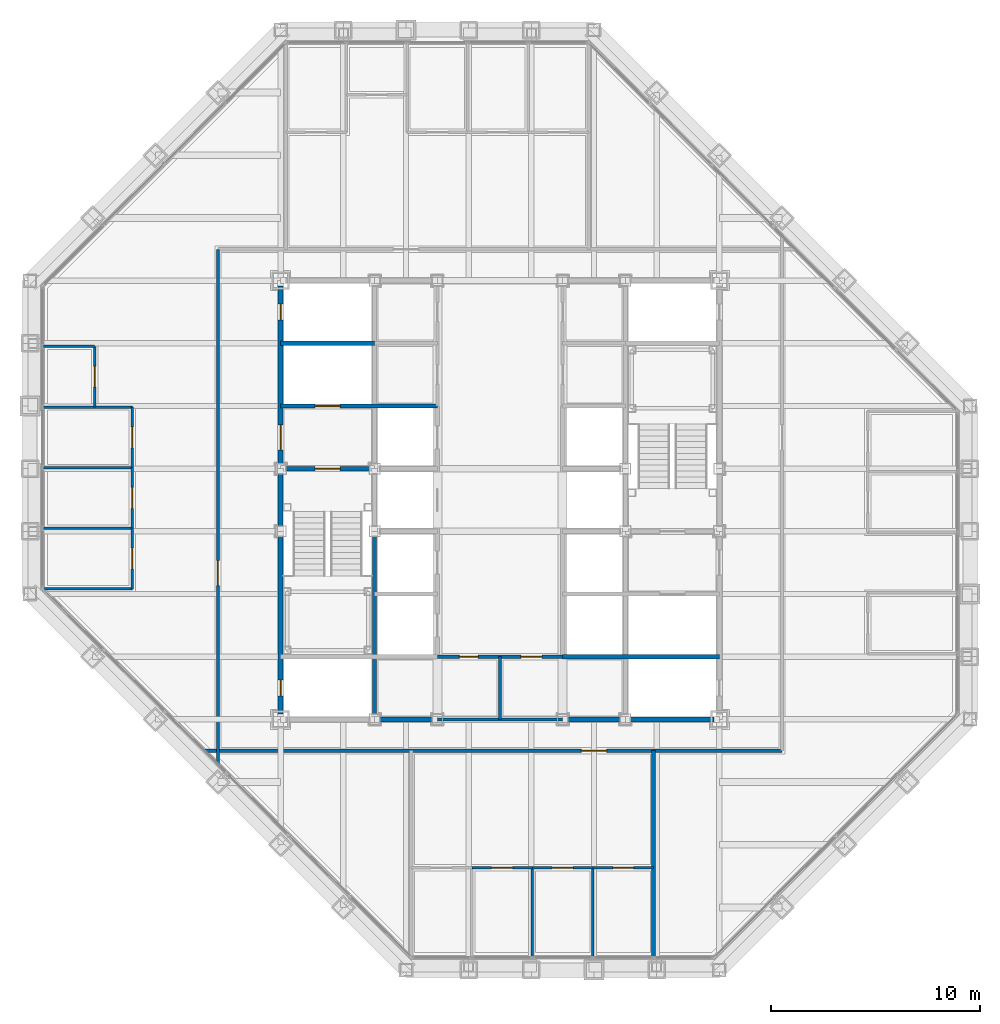
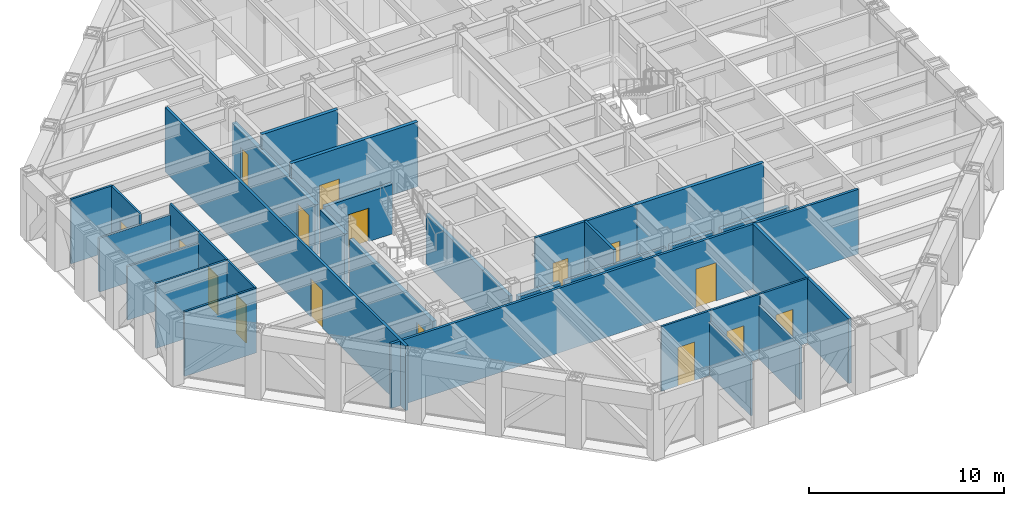
# One storey, part 11 of 16: 31 walls, 16 doors, 16 openings.
"""IFC4 building model written with IfcOpenShell, lengths in metres."""

import ifcopenshell
import ifcopenshell.guid

model = None  # the IFC model being written
_history = None  # IfcOwnerHistory: only IFC2X3 demands one
_inside = {}  # id of a spatial element -> (the spatial element, [elements in it])
_under = {}  # id of a project, library or spatial element -> (it, [spatial elements below it])
_declared = {}  # id of a project -> (the project, [libraries it declares])
_typed = {}  # id of a type object -> (the type object, [elements of that type])
_made_of = {}  # id of a material, layer set ... -> (it, [elements and type objects made of it])


def new_model(schema):
    """Start an empty IFC model of exactly this schema.

    Asked for "IFC4X3", IfcOpenShell would pick the latest addendum, in which some entities
    have other attributes; the version numbers below select the first issue.
    IFC2X3 requires an IfcOwnerHistory on every rooted entity: one is made here for all.
    """
    global model, _history
    if schema == "IFC4X3":
        model = ifcopenshell.file(schema_version=(4, 3, 0, 0))
    else:
        model = ifcopenshell.file(schema=schema)
    _inside.clear()
    _under.clear()
    _declared.clear()
    _typed.clear()
    _made_of.clear()
    _history = None
    if model.schema == "IFC2X3":
        org = make("IfcOrganization", Name="unknown")
        user = make(
            "IfcPersonAndOrganization",
            ThePerson=make("IfcPerson", FamilyName="unknown"),
            TheOrganization=org,
        )
        app = make(
            "IfcApplication",
            ApplicationDeveloper=org,
            Version="unknown",
            ApplicationFullName="unknown",
            ApplicationIdentifier="unknown",
        )
        _history = make(
            "IfcOwnerHistory",
            OwningUser=user,
            OwningApplication=app,
            ChangeAction="ADDED",
            CreationDate=0,
        )
    return model


def make(cls, **values):
    """One entity of the class cls with the attributes given. An attribute that is None is left unset."""
    return model.create_entity(
        cls, **{name: value for name, value in values.items() if value is not None}
    )


def rooted(cls, **values):
    """An entity with a GlobalId (a new one), such as an element, a storey or a relation."""
    return make(cls, GlobalId=ifcopenshell.guid.new(), OwnerHistory=_history, **values)


def si_unit(unit_type, name, prefix=None):
    """IfcSIUnit, for example si_unit("LENGTHUNIT", "METRE", prefix="MILLI")."""
    return make("IfcSIUnit", UnitType=unit_type, Prefix=prefix, Name=name)


def assignment(units):
    """IfcUnitAssignment: the units of a project."""
    return None if units is None else make("IfcUnitAssignment", Units=units)


def point(xyz):
    """IfcCartesianPoint."""
    return None if xyz is None else make("IfcCartesianPoint", Coordinates=xyz)


def direction(xyz):
    """IfcDirection."""
    return None if xyz is None else make("IfcDirection", DirectionRatios=xyz)


def frame(location, z_axis=None, x_axis=None):
    """IfcAxis2Placement3D, a coordinate frame: its origin and axes. An axis left out is left unset."""
    return make(
        "IfcAxis2Placement3D",
        Location=point(location),
        Axis=direction(z_axis),
        RefDirection=direction(x_axis),
    )


def frame_2d(location, x_axis=None):
    """IfcAxis2Placement2D, a coordinate frame in the plane: its origin and x axis."""
    return make(
        "IfcAxis2Placement2D", Location=point(location), RefDirection=direction(x_axis)
    )


def origin():
    """The frame at (0, 0, 0) with its axes left unset."""
    return frame((0.0, 0.0, 0.0))


def place(relative_to, where):
    """IfcLocalPlacement: puts the frame where relative to a parent placement (None: the world)."""
    return make(
        "IfcLocalPlacement", PlacementRelTo=relative_to, RelativePlacement=where
    )


def context(
    kind, dimensions, precision=None, world=None, true_north=None, identifier=None
):
    """IfcGeometricRepresentationContext, for example the 3D "Model" context."""
    return make(
        "IfcGeometricRepresentationContext",
        ContextIdentifier=identifier,
        ContextType=kind,
        CoordinateSpaceDimension=dimensions,
        Precision=precision,
        WorldCoordinateSystem=world,
        TrueNorth=true_north,
    )


def subcontext(parent, identifier, kind, view, scale=None):
    """IfcGeometricRepresentationSubContext, for example "Body" below "Model"."""
    return make(
        "IfcGeometricRepresentationSubContext",
        ContextIdentifier=identifier,
        ContextType=kind,
        ParentContext=parent,
        TargetScale=scale,
        TargetView=view,
    )


def project(units=None, contexts=None):
    """IfcProject with its units and contexts."""
    return rooted(
        "IfcProject",
        Name="project",
        RepresentationContexts=contexts,
        UnitsInContext=assignment(units),
    )


def spatial(cls, under=None, at=None, **own):
    """A site, building, storey or space (cls), placed at a placement, below another one or the project."""
    s = rooted(cls, ObjectPlacement=at, **own)
    if under is not None:
        _under.setdefault(under.id(), (under, []))[1].append(s)
    return s


def profile(cls, at=None, kind="AREA", **sizes):
    """A parametric profile (cls). Its sizes go by their IFC names, for example OverallWidth=200.0."""
    return make(cls, ProfileType=kind, Position=at, **sizes)


def rectangle(**sizes):
    """IfcRectangleProfileDef."""
    return profile("IfcRectangleProfileDef", **sizes)


def extrude(swept, where, along, depth):
    """IfcExtrudedAreaSolid: the profile swept, set in the frame where, extruded along a direction by depth."""
    return make(
        "IfcExtrudedAreaSolid",
        SweptArea=swept,
        Position=where,
        ExtrudedDirection=direction(along),
        Depth=depth,
    )


def shape(context_of_items, identifier, shape_type, items):
    """IfcShapeRepresentation: the items that make up one representation, for example the "Body"."""
    return make(
        "IfcShapeRepresentation",
        ContextOfItems=context_of_items,
        RepresentationIdentifier=identifier,
        RepresentationType=shape_type,
        Items=items,
    )


def material(Name=None, Category=None):
    """IfcMaterial."""
    return make("IfcMaterial", Name=Name, Category=Category)


def layer(
    of_material, thickness, ventilated=None, Name=None, Category=None, Priority=None
):
    """IfcMaterialLayer: one layer of a wall or slab, of a material (None: an air gap)."""
    return make(
        "IfcMaterialLayer",
        Material=of_material,
        LayerThickness=thickness,
        IsVentilated=ventilated,
        Name=Name,
        Category=Category,
        Priority=Priority,
    )


def layer_set(layers, Name=None):
    """IfcMaterialLayerSet."""
    return make("IfcMaterialLayerSet", MaterialLayers=layers, LayerSetName=Name)


def made_of(thing, what):
    """Note that an element or type object is made of a material, layer set ...; save() writes the relation."""
    if what is not None:
        _made_of.setdefault(what.id(), (what, []))[1].append(thing)
    return thing


def type_object(cls, material=None, **own):
    """A type object (cls), such as IfcWallType, which elements share."""
    return made_of(rooted(cls, **own), material)


def element(
    cls,
    number,
    at=None,
    inside=None,
    cuts=None,
    type_object=None,
    material=None,
    context=None,
    identifier="Body",
    shape_type=None,
    held_by="IfcProductDefinitionShape",
    body=None,
    shapes=None,
    **own,
):
    """One element of the class cls, such as IfcWall. Its Tag is "e" and its number.

    at: its placement. inside: the storey or other place that contains it. cuts: it is an
    opening in that element (IfcRelVoidsElement). A single representation is given by context,
    identifier, shape_type and body (its items); several are given by shapes. held_by: the class
    of the entity that holds the representations. save() writes the other relations.
    """
    e = rooted(cls, Tag="e%d" % number, ObjectPlacement=at, **own)
    if body is not None:
        shapes = [shape(context, identifier, shape_type, body)]
    if shapes is not None:
        e.Representation = make(held_by, Representations=shapes)
    if inside is not None:
        _inside.setdefault(inside.id(), (inside, []))[1].append(e)
    if cuts is not None:
        rooted(
            "IfcRelVoidsElement", RelatingBuildingElement=cuts, RelatedOpeningElement=e
        )
    if type_object is not None:
        _typed.setdefault(type_object.id(), (type_object, []))[1].append(e)
    return made_of(e, material)


def fill(opening, filler):
    """IfcRelFillsElement: the door or window that sits in an opening."""
    return rooted(
        "IfcRelFillsElement",
        RelatingOpeningElement=opening,
        RelatedBuildingElement=filler,
    )


def aggregate(whole, parts):
    """IfcRelAggregates: a whole, such as a stair, and the parts it consists of."""
    return rooted("IfcRelAggregates", RelatingObject=whole, RelatedObjects=parts)


def save(model, path):
    """Write the relations noted so far, then the file.

    IfcRelAggregates (storeys below a building ...), IfcRelContainedInSpatialStructure (elements
    in a storey), IfcRelDefinesByType, IfcRelAssociatesMaterial and IfcRelDeclares: one each for
    every whole, place, type object, material and project.
    """
    for whole, parts in _under.values():
        aggregate(whole, parts)
    for where, things in _inside.values():
        rooted(
            "IfcRelContainedInSpatialStructure",
            RelatedElements=things,
            RelatingStructure=where,
        )
    for kind, things in _typed.values():
        rooted("IfcRelDefinesByType", RelatedObjects=things, RelatingType=kind)
    for what, things in _made_of.values():
        rooted("IfcRelAssociatesMaterial", RelatedObjects=things, RelatingMaterial=what)
    for by, libraries in _declared.values():
        rooted("IfcRelDeclares", RelatingContext=by, RelatedDefinitions=libraries)
    model.write(path)


model = new_model("IFC4")

# Units and contexts
model_context = context("Model", 3, precision=1e-05, world=origin(), true_north=direction((0.0, 1.0)))
body_context = subcontext(model_context, "Body", "Model", "MODEL_VIEW")
ifc_project = project(units=[si_unit("LENGTHUNIT", "METRE"), si_unit("AREAUNIT", "SQUARE_METRE"), si_unit("VOLUMEUNIT", "CUBIC_METRE"), si_unit("PLANEANGLEUNIT", "RADIAN"), si_unit("MASSUNIT", "GRAM", prefix="KILO")], contexts=[model_context])

# Site, building, storey
site_placement = place(None, origin())
site = spatial("IfcSite", under=ifc_project, at=site_placement, CompositionType="ELEMENT")
building_placement = place(site_placement, origin())
building = spatial("IfcBuilding", under=site, at=building_placement, Name="Chuquiago Exchange Tower", CompositionType="ELEMENT")
storey_placement = place(building_placement, frame((0.0, 0.0, 243.300048828125)))
storey = spatial("IfcBuildingStorey", under=building, at=storey_placement, Name="L54", CompositionType="ELEMENT", Elevation=243.300048828125)

# Wall, opening, door
ifc_material_1 = material(Name="Concrete masonry, fully grouted", Category="masonry")
ifc_layer_1 = layer(ifc_material_1, 0.25)
ifc_layer_set_1 = layer_set([ifc_layer_1], Name="W1 core wall 250")
wall_type_1 = type_object("IfcWallType", Name="W1 core wall 250", PredefinedType="SOLIDWALL", material=ifc_layer_set_1)
wall_1_placement = place(storey_placement, frame((12.0, 12.25, 0.0), z_axis=(0.0, 0.0, 1.0), x_axis=(0.0, 1.0, 0.0)))
wall_1 = element("IfcWall", 1, at=wall_1_placement, inside=storey, type_object=wall_type_1, Name="CW-L54-00-0", PredefinedType="SOLIDWALL", context=body_context, shape_type="SweptSolid", body=[
    extrude(rectangle(XDim=8.5, YDim=0.25, at=frame_2d((4.25, 0.0))), origin(), (0.0, 0.0, 1.0), 3.11279296875),
])
opening_1_placement = place(wall_1_placement, frame((0.875, 0.0, 0.0)))
opening_1 = element("IfcOpeningElement", 2, at=opening_1_placement, cuts=wall_1, Name="Opening L54-007", PredefinedType="OPENING", context=body_context, shape_type="SweptSolid", body=[
    extrude(rectangle(XDim=0.75, YDim=2.10009765625, at=frame_2d((0.375, 1.050048828125))), frame((0.0, 0.135009765625, 0.0), z_axis=(0.0, -1.0, 0.0), x_axis=(1.0, 0.0, 0.0)), (0.0, 0.0, 1.0), 0.27001953125),
])
ifc_material_2 = material(Name="Steel door, painted", Category="steel")
door_type_1 = type_object("IfcDoorType", Name="D6 riser access door 750x2100", OperationType="SINGLE_SWING_LEFT", PredefinedType="DOOR", material=ifc_material_2)
door_1_placement = place(opening_1_placement, origin())
door_1 = element("IfcDoor", 3, at=door_1_placement, inside=storey, type_object=door_type_1, Name="Riser RW1 door", OperationType="SINGLE_SWING_LEFT", OverallHeight=2.10009765625, OverallWidth=0.75, PredefinedType="DOOR", context=body_context, shape_type="SweptSolid", body=[
    extrude(rectangle(XDim=0.75, YDim=2.10009765625, at=frame_2d((0.375, 1.050048828125))), frame((0.0, 0.02490234375, 0.0), z_axis=(0.0, -1.0, 0.0), x_axis=(1.0, 0.0, 0.0)), (0.0, 0.0, 1.0), 0.050048828125),
])
fill(opening_1, door_1)

# Wall
wall_2_placement = place(storey_placement, frame((12.0, 21.25, 0.0), z_axis=(0.0, 0.0, 1.0), x_axis=(0.0, 1.0, 0.0)))
element("IfcWall", 4, at=wall_2_placement, inside=storey, type_object=wall_type_1, Name="CW-L54-00-1", PredefinedType="SOLIDWALL", context=body_context, shape_type="SweptSolid", body=[
    extrude(rectangle(XDim=2.5, YDim=0.25, at=frame_2d((1.25, 0.0))), origin(), (0.0, 0.0, 1.0), 3.11279296875),
])

# Wall, openings, doors
wall_3_placement = place(storey_placement, frame((12.0, 24.25, 0.0), z_axis=(0.0, 0.0, 1.0), x_axis=(0.0, 1.0, 0.0)))
wall_3 = element("IfcWall", 5, at=wall_3_placement, inside=storey, type_object=wall_type_1, Name="CW-L54-00-2", PredefinedType="SOLIDWALL", context=body_context, shape_type="SweptSolid", body=[
    extrude(rectangle(XDim=8.5, YDim=0.25, at=frame_2d((4.25, 0.0))), origin(), (0.0, 0.0, 1.0), 3.11279296875),
])
opening_2_placement = place(wall_3_placement, frame((0.64990234375, 0.0, 0.0)))
opening_2 = element("IfcOpeningElement", 6, at=opening_2_placement, cuts=wall_3, Name="Opening L54-002", PredefinedType="OPENING", context=body_context, shape_type="SweptSolid", body=[
    extrude(rectangle(XDim=1.199951171875, YDim=2.10009765625, at=frame_2d((0.60009765625, 1.050048828125))), frame((0.0, 0.135009765625, 0.0), z_axis=(0.0, -1.0, 0.0), x_axis=(1.0, 0.0, 0.0)), (0.0, 0.0, 1.0), 0.27001953125),
])
opening_3_placement = place(wall_3_placement, frame((6.875, 0.0, 0.0)))
opening_3 = element("IfcOpeningElement", 7, at=opening_3_placement, cuts=wall_3, Name="Opening L54-008", PredefinedType="OPENING", context=body_context, shape_type="SweptSolid", body=[
    extrude(rectangle(XDim=0.75, YDim=2.10009765625, at=frame_2d((0.375, 1.050048828125))), frame((0.0, 0.135009765625, 0.0), z_axis=(0.0, -1.0, 0.0), x_axis=(1.0, 0.0, 0.0)), (0.0, 0.0, 1.0), 0.27001953125),
])
ifc_material_3 = material(Name="Steel door, painted", Category="steel")
door_type_2 = type_object("IfcDoorType", Name="D5 firefighting lobby door 1200x2100", OperationType="SINGLE_SWING_LEFT", PredefinedType="DOOR", material=ifc_material_3)
door_2_placement = place(opening_2_placement, frame((1.199951171875, 0.0, 0.0), z_axis=(0.0, 0.0, 1.0), x_axis=(-1.0, 0.0, 0.0)))
door_2 = element("IfcDoor", 8, at=door_2_placement, inside=storey, type_object=door_type_2, Name="Firefighting lobby 1 door", OperationType="SINGLE_SWING_RIGHT", OverallHeight=2.10009765625, OverallWidth=1.199951171875, PredefinedType="DOOR", context=body_context, shape_type="SweptSolid", body=[
    extrude(rectangle(XDim=1.199951171875, YDim=2.10009765625, at=frame_2d((0.60009765625, 1.050048828125))), frame((0.0, 0.02490234375, 0.0), z_axis=(0.0, -1.0, 0.0), x_axis=(1.0, 0.0, 0.0)), (0.0, 0.0, 1.0), 0.050048828125),
])
fill(opening_2, door_2)
door_3_placement = place(opening_3_placement, origin())
door_3 = element("IfcDoor", 9, at=door_3_placement, inside=storey, type_object=door_type_1, Name="Riser RW2 door", OperationType="SINGLE_SWING_RIGHT", OverallHeight=2.10009765625, OverallWidth=0.75, PredefinedType="DOOR", context=body_context, shape_type="SweptSolid", body=[
    extrude(rectangle(XDim=0.75, YDim=2.10009765625, at=frame_2d((0.375, 1.050048828125))), frame((0.0, 0.02490234375, 0.0), z_axis=(0.0, -1.0, 0.0), x_axis=(1.0, 0.0, 0.0)), (0.0, 0.0, 1.0), 0.050048828125),
])
fill(opening_3, door_3)

# Walls
for number, where, z_axis, x_axis, name in (
    (10, (16.75, 12.0, 0.0), (0.0, 0.0, 1.0), (1.0, 0.0, 0.0), "CW-L54-01-1"),
    (11, (25.75, 12.0, 0.0), (0.0, 0.0, 1.0), (1.0, 0.0, 0.0), "CW-L54-02-0"),
):
    element("IfcWall", number, at=place(storey_placement, frame(where, z_axis=z_axis, x_axis=x_axis)), inside=storey, type_object=wall_type_1, Name=name, PredefinedType="SOLIDWALL", context=body_context, shape_type="SweptSolid", body=[
        extrude(rectangle(XDim=2.5, YDim=0.25, at=frame_2d((1.25, 0.0))), origin(), (0.0, 0.0, 1.0), 3.181396484375),
    ])
wall_4_placement = place(storey_placement, frame((28.75, 12.0, 0.0), z_axis=(0.0, 0.0, 1.0), x_axis=(1.0, 0.0, 0.0)))
element("IfcWall", 12, at=wall_4_placement, inside=storey, type_object=wall_type_1, Name="CW-L54-02-1", PredefinedType="SOLIDWALL", context=body_context, shape_type="SweptSolid", body=[
    extrude(rectangle(XDim=4.0, YDim=0.25, at=frame_2d((2.0, 0.0))), origin(), (0.0, 0.0, 1.0), 3.181396484375),
])

# Wall, opening, door
ifc_material_4 = material(Name="Gypsum board on steel studs, acoustic insulation", Category="steel")
ifc_layer_2 = layer(ifc_material_4, 0.14990234375)
ifc_layer_set_2 = layer_set([ifc_layer_2], Name="W11 corridor wall 150")
wall_type_2 = type_object("IfcWallType", Name="W11 corridor wall 150", PredefinedType="PARTITIONING", material=ifc_layer_set_2)
wall_5_placement = place(storey_placement, frame((8.385498046875, 10.5, 0.0), z_axis=(0.0, 0.0, 1.0), x_axis=(1.0, 0.0, 0.0)))
wall_5 = element("IfcWall", 13, at=wall_5_placement, inside=storey, type_object=wall_type_2, Name="PW-L54-CS", PredefinedType="PARTITIONING", context=body_context, shape_type="SweptSolid", body=[
    extrude(rectangle(XDim=27.614501953125, YDim=0.14990234375, at=frame_2d((13.80712890625, 0.0))), origin(), (0.0, 0.0, 1.0), 4.0400390625),
])
opening_4_placement = place(wall_5_placement, frame((18.014404296875, 0.0, 0.0)))
opening_4 = element("IfcOpeningElement", 14, at=opening_4_placement, cuts=wall_5, Name="Opening L54-037", PredefinedType="OPENING", context=body_context, shape_type="SweptSolid", body=[
    extrude(rectangle(XDim=1.199951171875, YDim=2.39990234375, at=frame_2d((0.60009765625, 1.199951171875))), frame((0.0, 0.0849609375, 0.0), z_axis=(0.0, -1.0, 0.0), x_axis=(1.0, 0.0, 0.0)), (0.0, 0.0, 1.0), 0.169921875),
])
ifc_material_5 = material(Name="Timber door, laminate faced", Category="wood")
door_type_3 = type_object("IfcDoorType", Name="D13 suite entrance door 1200x2400", OperationType="SINGLE_SWING_LEFT", PredefinedType="DOOR", material=ifc_material_5)
door_4_placement = place(opening_4_placement, frame((1.199951171875, 0.0, 0.0), z_axis=(0.0, 0.0, 1.0), x_axis=(-1.0, 0.0, 0.0)))
door_4 = element("IfcDoor", 15, at=door_4_placement, inside=storey, type_object=door_type_3, Name="South suite entrance door", OperationType="SINGLE_SWING_LEFT", OverallHeight=2.39990234375, OverallWidth=1.199951171875, PredefinedType="DOOR", context=body_context, shape_type="SweptSolid", body=[
    extrude(rectangle(XDim=1.199951171875, YDim=2.39990234375, at=frame_2d((0.60009765625, 1.199951171875))), frame((0.0, 0.02490234375, 0.0), z_axis=(0.0, -1.0, 0.0), x_axis=(1.0, 0.0, 0.0)), (0.0, 0.0, 1.0), 0.050048828125),
])
fill(opening_4, door_4)

wall_6_placement = place(storey_placement, frame((9.0, 9.885498046875, 0.0), z_axis=(0.0, 0.0, 1.0), x_axis=(0.0, 1.0, 0.0)))
wall_6 = element("IfcWall", 16, at=wall_6_placement, inside=storey, type_object=wall_type_2, Name="PW-L54-CW", PredefinedType="PARTITIONING", context=body_context, shape_type="SweptSolid", body=[
    extrude(rectangle(XDim=24.614501953125, YDim=0.14990234375, at=frame_2d((12.30712890625, 0.0))), origin(), (0.0, 0.0, 1.0), 4.0400390625),
])
opening_5_placement = place(wall_6_placement, frame((8.514404296875, 0.0, 0.0)))
opening_5 = element("IfcOpeningElement", 17, at=opening_5_placement, cuts=wall_6, Name="Opening L54-039", PredefinedType="OPENING", context=body_context, shape_type="SweptSolid", body=[
    extrude(rectangle(XDim=1.199951171875, YDim=2.39990234375, at=frame_2d((0.60009765625, 1.199951171875))), frame((0.0, 0.0849609375, 0.0), z_axis=(0.0, -1.0, 0.0), x_axis=(1.0, 0.0, 0.0)), (0.0, 0.0, 1.0), 0.169921875),
])
door_5_placement = place(opening_5_placement, origin())
door_5 = element("IfcDoor", 18, at=door_5_placement, inside=storey, type_object=door_type_3, Name="West suite entrance door", OperationType="SINGLE_SWING_LEFT", OverallHeight=2.39990234375, OverallWidth=1.199951171875, PredefinedType="DOOR", context=body_context, shape_type="SweptSolid", body=[
    extrude(rectangle(XDim=1.199951171875, YDim=2.39990234375, at=frame_2d((0.60009765625, 1.199951171875))), frame((0.0, 0.02490234375, 0.0), z_axis=(0.0, -1.0, 0.0), x_axis=(1.0, 0.0, 0.0)), (0.0, 0.0, 1.0), 0.050048828125),
])
fill(opening_5, door_5)

# Walls
ifc_material_6 = material(Name="Gypsum board on twin steel studs, acoustic insulation", Category="steel")
ifc_layer_3 = layer(ifc_material_6, 0.175048828125)
ifc_layer_set_3 = layer_set([ifc_layer_3], Name="W12 tenant demising wall 175")
wall_type_3 = type_object("IfcWallType", Name="W12 tenant demising wall 175", PredefinedType="PARTITIONING", material=ifc_layer_set_3)
wall_7_placement = place(storey_placement, frame((29.850830078125, 0.652587890625, 0.0), z_axis=(0.0, 0.0, 1.0), x_axis=(0.0, 1.0, 0.0)))
element("IfcWall", 19, at=wall_7_placement, inside=storey, type_object=wall_type_3, Name="PW-L54-DS02985", PredefinedType="PARTITIONING", context=body_context, shape_type="SweptSolid", body=[
    extrude(rectangle(XDim=9.847412109375, YDim=0.175048828125, at=frame_2d((4.923828125, 0.0))), origin(), (0.0, 0.0, 1.0), 4.0400390625),
])
ifc_material_7 = material(Name="Concrete masonry, fully grouted", Category="masonry")
ifc_layer_4 = layer(ifc_material_7, 0.199951171875)
ifc_layer_set_4 = layer_set([ifc_layer_4], Name="W2 shaft wall 200")
wall_type_4 = type_object("IfcWallType", Name="W2 shaft wall 200", PredefinedType="SOLIDWALL", material=ifc_layer_set_4)
wall_8_placement = place(storey_placement, frame((25.5, 15.0, 0.0), z_axis=(0.0, 0.0, 1.0), x_axis=(1.0, 0.0, 0.0)))
element("IfcWall", 20, at=wall_8_placement, inside=storey, type_object=wall_type_4, Name="CW-L54-04-0", PredefinedType="SOLIDWALL", context=body_context, shape_type="SweptSolid", body=[
    extrude(rectangle(XDim=7.5, YDim=0.199951171875, at=frame_2d((3.75, 0.0))), origin(), (0.0, 0.0, 1.0), 4.0400390625),
])

# Wall, opening, door
wall_9_placement = place(storey_placement, frame((12.25, 24.0, 0.0), z_axis=(0.0, 0.0, 1.0), x_axis=(1.0, 0.0, 0.0)))
wall_9 = element("IfcWall", 21, at=wall_9_placement, inside=storey, type_object=wall_type_4, Name="CW-L54-05-0", PredefinedType="SOLIDWALL", context=body_context, shape_type="SweptSolid", body=[
    extrude(rectangle(XDim=4.0, YDim=0.199951171875, at=frame_2d((2.0, 0.0))), origin(), (0.0, 0.0, 1.0), 3.08984375),
])
opening_6_placement = place(wall_9_placement, frame((1.39990234375, 0.0, 0.0)))
opening_6 = element("IfcOpeningElement", 22, at=opening_6_placement, cuts=wall_9, Name="Opening L54-001", PredefinedType="OPENING", context=body_context, shape_type="SweptSolid", body=[
    extrude(rectangle(XDim=1.199951171875, YDim=2.10009765625, at=frame_2d((0.60009765625, 1.050048828125))), frame((0.0, 0.10986328125, 0.0), z_axis=(0.0, -1.0, 0.0), x_axis=(1.0, 0.0, 0.0)), (0.0, 0.0, 1.0), 0.219970703125),
])
ifc_material_8 = material(Name="Steel door, painted", Category="steel")
door_type_4 = type_object("IfcDoorType", Name="D4 stair door 1200x2100", OperationType="SINGLE_SWING_LEFT", PredefinedType="DOOR", material=ifc_material_8)
door_6_placement = place(opening_6_placement, frame((1.199951171875, 0.0, 0.0), z_axis=(0.0, 0.0, 1.0), x_axis=(-1.0, 0.0, 0.0)))
door_6 = element("IfcDoor", 23, at=door_6_placement, inside=storey, type_object=door_type_4, Name="Stair ST1 door", OperationType="SINGLE_SWING_RIGHT", OverallHeight=2.10009765625, OverallWidth=1.199951171875, PredefinedType="DOOR", context=body_context, shape_type="SweptSolid", body=[
    extrude(rectangle(XDim=1.199951171875, YDim=2.10009765625, at=frame_2d((0.60009765625, 1.050048828125))), frame((0.0, 0.02490234375, 0.0), z_axis=(0.0, -1.0, 0.0), x_axis=(1.0, 0.0, 0.0)), (0.0, 0.0, 1.0), 0.050048828125),
])
fill(opening_6, door_6)

wall_10_placement = place(storey_placement, frame((12.0, 27.0, 0.0), z_axis=(0.0, 0.0, 1.0), x_axis=(1.0, 0.0, 0.0)))
wall_10 = element("IfcWall", 24, at=wall_10_placement, inside=storey, type_object=wall_type_4, Name="CW-L54-07-0", PredefinedType="SOLIDWALL", context=body_context, shape_type="SweptSolid", body=[
    extrude(rectangle(XDim=7.5, YDim=0.199951171875, at=frame_2d((3.75, 0.0))), origin(), (0.0, 0.0, 1.0), 4.0400390625),
])
opening_7_placement = place(wall_10_placement, frame((1.64990234375, 0.0, 0.0)))
opening_7 = element("IfcOpeningElement", 25, at=opening_7_placement, cuts=wall_10, Name="Opening L54-005", PredefinedType="OPENING", context=body_context, shape_type="SweptSolid", body=[
    extrude(rectangle(XDim=1.199951171875, YDim=2.10009765625, at=frame_2d((0.60009765625, 1.050048828125))), frame((0.0, 0.10986328125, 0.0), z_axis=(0.0, -1.0, 0.0), x_axis=(1.0, 0.0, 0.0)), (0.0, 0.0, 1.0), 0.219970703125),
])
ifc_material_9 = material(Name="Stainless steel lift landing door", Category="steel")
door_type_5 = type_object("IfcDoorType", Name="LD2 firefighting lift landing door 1200x2100", OperationType="DOUBLE_DOOR_SLIDING", PredefinedType="DOOR", material=ifc_material_9)
door_7_placement = place(opening_7_placement, origin())
door_7 = element("IfcDoor", 26, at=door_7_placement, inside=storey, type_object=door_type_5, Name="Firefighting lift FL1 landing door", OperationType="DOUBLE_DOOR_SLIDING", OverallHeight=2.10009765625, OverallWidth=1.199951171875, PredefinedType="DOOR", context=body_context, shape_type="SweptSolid", body=[
    extrude(rectangle(XDim=1.199951171875, YDim=2.10009765625, at=frame_2d((0.60009765625, 1.050048828125))), frame((0.0, 0.02490234375, 0.0), z_axis=(0.0, -1.0, 0.0), x_axis=(1.0, 0.0, 0.0)), (0.0, 0.0, 1.0), 0.050048828125),
])
fill(opening_7, door_7)

# Walls
wall_11_placement = place(storey_placement, frame((12.0, 30.0, 0.0), z_axis=(0.0, 0.0, 1.0), x_axis=(1.0, 0.0, 0.0)))
element("IfcWall", 27, at=wall_11_placement, inside=storey, type_object=wall_type_4, Name="CW-L54-09-0", PredefinedType="SOLIDWALL", context=body_context, shape_type="SweptSolid", body=[
    extrude(rectangle(XDim=4.5, YDim=0.199951171875, at=frame_2d((2.25, 0.0))), origin(), (0.0, 0.0, 1.0), 4.0400390625),
])
wall_12_placement = place(storey_placement, frame((16.5, 12.25, 0.0), z_axis=(0.0, 0.0, 1.0), x_axis=(0.0, 1.0, 0.0)))
element("IfcWall", 28, at=wall_12_placement, inside=storey, type_object=wall_type_4, Name="CW-L54-13-0", PredefinedType="SOLIDWALL", context=body_context, shape_type="SweptSolid", body=[
    extrude(rectangle(XDim=8.5, YDim=0.199951171875, at=frame_2d((4.25, 0.0))), origin(), (0.0, 0.0, 1.0), 3.11279296875),
])

# Wall, openings, doors
ifc_material_10 = material(Name="Gypsum board on steel studs", Category="steel")
ifc_layer_5 = layer(ifc_material_10, 0.14990234375)
ifc_layer_set_5 = layer_set([ifc_layer_5], Name="W3 core partition 150")
wall_type_5 = type_object("IfcWallType", Name="W3 core partition 150", PredefinedType="PARTITIONING", material=ifc_layer_set_5)
wall_13_placement = place(storey_placement, frame((19.5, 15.0, 0.0), z_axis=(0.0, 0.0, 1.0), x_axis=(1.0, 0.0, 0.0)))
wall_13 = element("IfcWall", 29, at=wall_13_placement, inside=storey, type_object=wall_type_5, Name="CW-L54-TF", PredefinedType="PARTITIONING", context=body_context, shape_type="SweptSolid", body=[
    extrude(rectangle(XDim=6.0, YDim=0.14990234375, at=frame_2d((3.0, 0.0))), origin(), (0.0, 0.0, 1.0), 4.0400390625),
])
opening_8_placement = place(wall_13_placement, frame((4.0, 0.0, 0.0)))
opening_8 = element("IfcOpeningElement", 30, at=opening_8_placement, cuts=wall_13, Name="Opening L54-015", PredefinedType="OPENING", context=body_context, shape_type="SweptSolid", body=[
    extrude(rectangle(XDim=1.0, YDim=2.10009765625, at=frame_2d((0.5, 1.050048828125))), frame((0.0, 0.0849609375, 0.0), z_axis=(0.0, -1.0, 0.0), x_axis=(1.0, 0.0, 0.0)), (0.0, 0.0, 1.0), 0.169921875),
])
opening_9_placement = place(wall_13_placement, frame((1.050048828125, 0.0, 0.0)))
opening_9 = element("IfcOpeningElement", 31, at=opening_9_placement, cuts=wall_13, Name="Opening L54-016", PredefinedType="OPENING", context=body_context, shape_type="SweptSolid", body=[
    extrude(rectangle(XDim=0.89990234375, YDim=2.10009765625, at=frame_2d((0.449951171875, 1.050048828125))), frame((0.0, 0.0849609375, 0.0), z_axis=(0.0, -1.0, 0.0), x_axis=(1.0, 0.0, 0.0)), (0.0, 0.0, 1.0), 0.169921875),
])
ifc_material_11 = material(Name="Timber door, laminate faced", Category="wood")
door_type_6 = type_object("IfcDoorType", Name="D7 toilet door 900x2100", OperationType="SINGLE_SWING_LEFT", PredefinedType="DOOR", material=ifc_material_11)
door_8_placement = place(opening_9_placement, origin())
door_8 = element("IfcDoor", 32, at=door_8_placement, inside=storey, type_object=door_type_6, Name="Cleaner door", OperationType="SINGLE_SWING_LEFT", OverallHeight=2.10009765625, OverallWidth=0.89990234375, PredefinedType="DOOR", context=body_context, shape_type="SweptSolid", body=[
    extrude(rectangle(XDim=0.89990234375, YDim=2.10009765625, at=frame_2d((0.449951171875, 1.050048828125))), frame((0.0, 0.02490234375, 0.0), z_axis=(0.0, -1.0, 0.0), x_axis=(1.0, 0.0, 0.0)), (0.0, 0.0, 1.0), 0.050048828125),
])
fill(opening_9, door_8)
ifc_material_12 = material(Name="Timber door, laminate faced", Category="wood")
door_type_7 = type_object("IfcDoorType", Name="D8 accessible toilet door 1000x2100", OperationType="SLIDING_TO_LEFT", PredefinedType="DOOR", material=ifc_material_12)
door_9_placement = place(opening_8_placement, origin())
door_9 = element("IfcDoor", 33, at=door_9_placement, inside=storey, type_object=door_type_7, Name="Accessible WC door", OperationType="SLIDING_TO_LEFT", OverallHeight=2.10009765625, OverallWidth=1.0, PredefinedType="DOOR", context=body_context, shape_type="SweptSolid", body=[
    extrude(rectangle(XDim=1.0, YDim=2.10009765625, at=frame_2d((0.5, 1.050048828125))), frame((0.0, 0.02490234375, 0.0), z_axis=(0.0, -1.0, 0.0), x_axis=(1.0, 0.0, 0.0)), (0.0, 0.0, 1.0), 0.050048828125),
])
fill(opening_8, door_9)

# Walls
wall_14_placement = place(storey_placement, frame((22.5, 15.0, 0.0), z_axis=(0.0, 0.0, 1.0), x_axis=(0.0, -1.0, 0.0)))
element("IfcWall", 34, at=wall_14_placement, inside=storey, type_object=wall_type_5, Name="CW-L54-TM", PredefinedType="PARTITIONING", context=body_context, shape_type="SweptSolid", body=[
    extrude(rectangle(XDim=3.0, YDim=0.14990234375, at=frame_2d((1.5, 0.0))), origin(), (0.0, 0.0, 1.0), 4.0400390625),
])
wall_15_placement = place(storey_placement, frame((19.5, 12.0, 0.0), z_axis=(0.0, 0.0, 1.0), x_axis=(1.0, 0.0, 0.0)))
element("IfcWall", 35, at=wall_15_placement, inside=storey, type_object=wall_type_5, Name="CW-L54-TB", PredefinedType="PARTITIONING", context=body_context, shape_type="SweptSolid", body=[
    extrude(rectangle(XDim=6.0, YDim=0.14990234375, at=frame_2d((3.0, 0.0))), origin(), (0.0, 0.0, 1.0), 3.181396484375),
])
ifc_material_13 = material(Name="Gypsum board on steel studs", Category="steel")
ifc_layer_6 = layer(ifc_material_13, 0.1201171875)
ifc_layer_set_6 = layer_set([ifc_layer_6], Name="W4 partition 120")
wall_type_6 = type_object("IfcWallType", Name="W4 partition 120", PredefinedType="PARTITIONING", material=ifc_layer_set_6)
for number, where, z_axis, x_axis, name in (
    (36, (24.0498046875, 0.652587890625, 0.0), (0.0, 0.0, 1.0), (0.0, 1.0, 0.0), "PW-L54-S02405"),
    (37, (26.9501953125, 0.652587890625, 0.0), (0.0, 0.0, 1.0), (0.0, 1.0, 0.0), "PW-L54-S02695"),
):
    element("IfcWall", number, at=place(storey_placement, frame(where, z_axis=z_axis, x_axis=x_axis)), inside=storey, type_object=wall_type_6, Name=name, PredefinedType="PARTITIONING", context=body_context, shape_type="SweptSolid", body=[
        extrude(rectangle(XDim=4.247314453125, YDim=0.1201171875, at=frame_2d((2.12353515625, 0.0))), origin(), (0.0, 0.0, 1.0), 3.356689453125),
    ])

# Wall, opening, door
wall_16_placement = place(storey_placement, frame((21.149169921875, 4.89990234375, 0.0), z_axis=(0.0, 0.0, 1.0), x_axis=(1.0, 0.0, 0.0)))
wall_16 = element("IfcWall", 38, at=wall_16_placement, inside=storey, type_object=wall_type_6, Name="PW-L54-SF02115", PredefinedType="PARTITIONING", context=body_context, shape_type="SweptSolid", body=[
    extrude(rectangle(XDim=2.900634765625, YDim=0.1201171875, at=frame_2d((1.4501953125, 0.0))), origin(), (0.0, 0.0, 1.0), 4.0400390625),
])
opening_10_placement = place(wall_16_placement, frame((0.9501953125, 0.0, 0.0)))
opening_10 = element("IfcOpeningElement", 39, at=opening_10_placement, cuts=wall_16, Name="Opening L54-022", PredefinedType="OPENING", context=body_context, shape_type="SweptSolid", body=[
    extrude(rectangle(XDim=1.0, YDim=2.39990234375, at=frame_2d((0.5, 1.199951171875))), frame((0.0, 0.070068359375, 0.0), z_axis=(0.0, -1.0, 0.0), x_axis=(1.0, 0.0, 0.0)), (0.0, 0.0, 1.0), 0.14013671875),
])
ifc_material_14 = material(Name="Timber door, laminate faced", Category="wood")
door_type_8 = type_object("IfcDoorType", Name="D9 room door 1000x2400", OperationType="SINGLE_SWING_LEFT", PredefinedType="DOOR", material=ifc_material_14)
door_10_placement = place(opening_10_placement, frame((1.0, 0.0, 0.0), z_axis=(0.0, 0.0, 1.0), x_axis=(-1.0, 0.0, 0.0)))
door_10 = element("IfcDoor", 40, at=door_10_placement, inside=storey, type_object=door_type_8, Name="Office door", OperationType="SINGLE_SWING_RIGHT", OverallHeight=2.39990234375, OverallWidth=1.0, PredefinedType="DOOR", context=body_context, shape_type="SweptSolid", body=[
    extrude(rectangle(XDim=1.0, YDim=2.39990234375, at=frame_2d((0.5, 1.199951171875))), frame((0.0, 0.02490234375, 0.0), z_axis=(0.0, -1.0, 0.0), x_axis=(1.0, 0.0, 0.0)), (0.0, 0.0, 1.0), 0.050048828125),
])
fill(opening_10, door_10)

wall_17_placement = place(storey_placement, frame((24.0498046875, 4.89990234375, 0.0), z_axis=(0.0, 0.0, 1.0), x_axis=(1.0, 0.0, 0.0)))
wall_17 = element("IfcWall", 41, at=wall_17_placement, inside=storey, type_object=wall_type_6, Name="PW-L54-SF02405", PredefinedType="PARTITIONING", context=body_context, shape_type="SweptSolid", body=[
    extrude(rectangle(XDim=2.900390625, YDim=0.1201171875, at=frame_2d((1.4501953125, 0.0))), origin(), (0.0, 0.0, 1.0), 4.0400390625),
])
opening_11_placement = place(wall_17_placement, frame((0.9501953125, 0.0, 0.0)))
opening_11 = element("IfcOpeningElement", 42, at=opening_11_placement, cuts=wall_17, Name="Opening L54-023", PredefinedType="OPENING", context=body_context, shape_type="SweptSolid", body=[
    extrude(rectangle(XDim=1.0, YDim=2.39990234375, at=frame_2d((0.5, 1.199951171875))), frame((0.0, 0.070068359375, 0.0), z_axis=(0.0, -1.0, 0.0), x_axis=(1.0, 0.0, 0.0)), (0.0, 0.0, 1.0), 0.14013671875),
])
door_11_placement = place(opening_11_placement, frame((1.0, 0.0, 0.0), z_axis=(0.0, 0.0, 1.0), x_axis=(-1.0, 0.0, 0.0)))
door_11 = element("IfcDoor", 43, at=door_11_placement, inside=storey, type_object=door_type_8, Name="Office door", OperationType="SINGLE_SWING_LEFT", OverallHeight=2.39990234375, OverallWidth=1.0, PredefinedType="DOOR", context=body_context, shape_type="SweptSolid", body=[
    extrude(rectangle(XDim=1.0, YDim=2.39990234375, at=frame_2d((0.5, 1.199951171875))), frame((0.0, 0.02490234375, 0.0), z_axis=(0.0, -1.0, 0.0), x_axis=(1.0, 0.0, 0.0)), (0.0, 0.0, 1.0), 0.050048828125),
])
fill(opening_11, door_11)

wall_18_placement = place(storey_placement, frame((26.9501953125, 4.89990234375, 0.0), z_axis=(0.0, 0.0, 1.0), x_axis=(1.0, 0.0, 0.0)))
wall_18 = element("IfcWall", 44, at=wall_18_placement, inside=storey, type_object=wall_type_6, Name="PW-L54-SF02695", PredefinedType="PARTITIONING", context=body_context, shape_type="SweptSolid", body=[
    extrude(rectangle(XDim=2.900634765625, YDim=0.1201171875, at=frame_2d((1.4501953125, 0.0))), origin(), (0.0, 0.0, 1.0), 4.0400390625),
])
opening_12_placement = place(wall_18_placement, frame((0.9501953125, 0.0, 0.0)))
opening_12 = element("IfcOpeningElement", 45, at=opening_12_placement, cuts=wall_18, Name="Opening L54-024", PredefinedType="OPENING", context=body_context, shape_type="SweptSolid", body=[
    extrude(rectangle(XDim=1.0, YDim=2.39990234375, at=frame_2d((0.5, 1.199951171875))), frame((0.0, 0.070068359375, 0.0), z_axis=(0.0, -1.0, 0.0), x_axis=(1.0, 0.0, 0.0)), (0.0, 0.0, 1.0), 0.14013671875),
])
door_12_placement = place(opening_12_placement, frame((1.0, 0.0, 0.0), z_axis=(0.0, 0.0, 1.0), x_axis=(-1.0, 0.0, 0.0)))
door_12 = element("IfcDoor", 46, at=door_12_placement, inside=storey, type_object=door_type_8, Name="Office door", OperationType="SINGLE_SWING_LEFT", OverallHeight=2.39990234375, OverallWidth=1.0, PredefinedType="DOOR", context=body_context, shape_type="SweptSolid", body=[
    extrude(rectangle(XDim=1.0, YDim=2.39990234375, at=frame_2d((0.5, 1.199951171875))), frame((0.0, 0.02490234375, 0.0), z_axis=(0.0, -1.0, 0.0), x_axis=(1.0, 0.0, 0.0)), (0.0, 0.0, 1.0), 0.050048828125),
])
fill(opening_12, door_12)

# Walls
wall_19_placement = place(storey_placement, frame((0.666015625, 18.24853515625, 0.0), z_axis=(0.0, 0.0, 1.0), x_axis=(1.0, 0.0, 0.0)))
element("IfcWall", 47, at=wall_19_placement, inside=storey, type_object=wall_type_6, Name="PW-L54-W01825", PredefinedType="PARTITIONING", context=body_context, shape_type="SweptSolid", body=[
    extrude(rectangle(XDim=4.23388671875, YDim=0.1201171875, at=frame_2d((2.116943359375, 0.0))), origin(), (0.0, 0.0, 1.0), 4.0400390625),
])
wall_20_placement = place(storey_placement, frame((0.652587890625, 21.149169921875, 0.0), z_axis=(0.0, 0.0, 1.0), x_axis=(1.0, 0.0, 0.0)))
element("IfcWall", 48, at=wall_20_placement, inside=storey, type_object=wall_type_6, Name="PW-L54-W02115", PredefinedType="PARTITIONING", context=body_context, shape_type="SweptSolid", body=[
    extrude(rectangle(XDim=4.247314453125, YDim=0.1201171875, at=frame_2d((2.12353515625, 0.0))), origin(), (0.0, 0.0, 1.0), 4.0400390625),
])
for number, where, z_axis, x_axis, name in (
    (49, (0.652587890625, 24.0498046875, 0.0), (0.0, 0.0, 1.0), (1.0, 0.0, 0.0), "PW-L54-W02405"),
    (50, (0.652587890625, 26.9501953125, 0.0), (0.0, 0.0, 1.0), (1.0, 0.0, 0.0), "PW-L54-W02695"),
):
    element("IfcWall", number, at=place(storey_placement, frame(where, z_axis=z_axis, x_axis=x_axis)), inside=storey, type_object=wall_type_6, Name=name, PredefinedType="PARTITIONING", context=body_context, shape_type="SweptSolid", body=[
        extrude(rectangle(XDim=4.247314453125, YDim=0.1201171875, at=frame_2d((2.12353515625, 0.0))), origin(), (0.0, 0.0, 1.0), 3.356689453125),
    ])
wall_21_placement = place(storey_placement, frame((0.652587890625, 29.850830078125, 0.0), z_axis=(0.0, 0.0, 1.0), x_axis=(1.0, 0.0, 0.0)))
element("IfcWall", 51, at=wall_21_placement, inside=storey, type_object=wall_type_6, Name="PW-L54-W02985", PredefinedType="PARTITIONING", context=body_context, shape_type="SweptSolid", body=[
    extrude(rectangle(XDim=2.447509765625, YDim=0.1201171875, at=frame_2d((1.2236328125, 0.0))), origin(), (0.0, 0.0, 1.0), 4.0400390625),
])

# Wall, opening, door
wall_22_placement = place(storey_placement, frame((4.89990234375, 18.24853515625, 0.0), z_axis=(0.0, 0.0, 1.0), x_axis=(0.0, 1.0, 0.0)))
wall_22 = element("IfcWall", 52, at=wall_22_placement, inside=storey, type_object=wall_type_6, Name="PW-L54-WF01825", PredefinedType="PARTITIONING", context=body_context, shape_type="SweptSolid", body=[
    extrude(rectangle(XDim=2.900634765625, YDim=0.1201171875, at=frame_2d((1.4501953125, 0.0))), origin(), (0.0, 0.0, 1.0), 4.0400390625),
])
opening_13_placement = place(wall_22_placement, frame((0.9501953125, 0.0, 0.0)))
opening_13 = element("IfcOpeningElement", 53, at=opening_13_placement, cuts=wall_22, Name="Opening L54-033", PredefinedType="OPENING", context=body_context, shape_type="SweptSolid", body=[
    extrude(rectangle(XDim=1.0, YDim=2.39990234375, at=frame_2d((0.5, 1.199951171875))), frame((0.0, 0.070068359375, 0.0), z_axis=(0.0, -1.0, 0.0), x_axis=(1.0, 0.0, 0.0)), (0.0, 0.0, 1.0), 0.14013671875),
])
door_13_placement = place(opening_13_placement, origin())
door_13 = element("IfcDoor", 54, at=door_13_placement, inside=storey, type_object=door_type_8, Name="Office door", OperationType="SINGLE_SWING_LEFT", OverallHeight=2.39990234375, OverallWidth=1.0, PredefinedType="DOOR", context=body_context, shape_type="SweptSolid", body=[
    extrude(rectangle(XDim=1.0, YDim=2.39990234375, at=frame_2d((0.5, 1.199951171875))), frame((0.0, 0.02490234375, 0.0), z_axis=(0.0, -1.0, 0.0), x_axis=(1.0, 0.0, 0.0)), (0.0, 0.0, 1.0), 0.050048828125),
])
fill(opening_13, door_13)

wall_23_placement = place(storey_placement, frame((4.89990234375, 21.149169921875, 0.0), z_axis=(0.0, 0.0, 1.0), x_axis=(0.0, 1.0, 0.0)))
wall_23 = element("IfcWall", 55, at=wall_23_placement, inside=storey, type_object=wall_type_6, Name="PW-L54-WF02115", PredefinedType="PARTITIONING", context=body_context, shape_type="SweptSolid", body=[
    extrude(rectangle(XDim=2.900634765625, YDim=0.1201171875, at=frame_2d((1.4501953125, 0.0))), origin(), (0.0, 0.0, 1.0), 4.0400390625),
])
opening_14_placement = place(wall_23_placement, frame((0.9501953125, 0.0, 0.0)))
opening_14 = element("IfcOpeningElement", 56, at=opening_14_placement, cuts=wall_23, Name="Opening L54-034", PredefinedType="OPENING", context=body_context, shape_type="SweptSolid", body=[
    extrude(rectangle(XDim=1.0, YDim=2.39990234375, at=frame_2d((0.5, 1.199951171875))), frame((0.0, 0.070068359375, 0.0), z_axis=(0.0, -1.0, 0.0), x_axis=(1.0, 0.0, 0.0)), (0.0, 0.0, 1.0), 0.14013671875),
])
door_14_placement = place(opening_14_placement, origin())
door_14 = element("IfcDoor", 57, at=door_14_placement, inside=storey, type_object=door_type_8, Name="Office door", OperationType="SINGLE_SWING_LEFT", OverallHeight=2.39990234375, OverallWidth=1.0, PredefinedType="DOOR", context=body_context, shape_type="SweptSolid", body=[
    extrude(rectangle(XDim=1.0, YDim=2.39990234375, at=frame_2d((0.5, 1.199951171875))), frame((0.0, 0.02490234375, 0.0), z_axis=(0.0, -1.0, 0.0), x_axis=(1.0, 0.0, 0.0)), (0.0, 0.0, 1.0), 0.050048828125),
])
fill(opening_14, door_14)

wall_24_placement = place(storey_placement, frame((4.89990234375, 24.0498046875, 0.0), z_axis=(0.0, 0.0, 1.0), x_axis=(0.0, 1.0, 0.0)))
wall_24 = element("IfcWall", 58, at=wall_24_placement, inside=storey, type_object=wall_type_6, Name="PW-L54-WF02405", PredefinedType="PARTITIONING", context=body_context, shape_type="SweptSolid", body=[
    extrude(rectangle(XDim=2.900390625, YDim=0.1201171875, at=frame_2d((1.4501953125, 0.0))), origin(), (0.0, 0.0, 1.0), 4.0400390625),
])
opening_15_placement = place(wall_24_placement, frame((0.9501953125, 0.0, 0.0)))
opening_15 = element("IfcOpeningElement", 59, at=opening_15_placement, cuts=wall_24, Name="Opening L54-035", PredefinedType="OPENING", context=body_context, shape_type="SweptSolid", body=[
    extrude(rectangle(XDim=1.0, YDim=2.39990234375, at=frame_2d((0.5, 1.199951171875))), frame((0.0, 0.070068359375, 0.0), z_axis=(0.0, -1.0, 0.0), x_axis=(1.0, 0.0, 0.0)), (0.0, 0.0, 1.0), 0.14013671875),
])
door_15_placement = place(opening_15_placement, origin())
door_15 = element("IfcDoor", 60, at=door_15_placement, inside=storey, type_object=door_type_8, Name="Reception door", OperationType="SINGLE_SWING_RIGHT", OverallHeight=2.39990234375, OverallWidth=1.0, PredefinedType="DOOR", context=body_context, shape_type="SweptSolid", body=[
    extrude(rectangle(XDim=1.0, YDim=2.39990234375, at=frame_2d((0.5, 1.199951171875))), frame((0.0, 0.02490234375, 0.0), z_axis=(0.0, -1.0, 0.0), x_axis=(1.0, 0.0, 0.0)), (0.0, 0.0, 1.0), 0.050048828125),
])
fill(opening_15, door_15)

wall_25_placement = place(storey_placement, frame((3.10009765625, 26.9501953125, 0.0), z_axis=(0.0, 0.0, 1.0), x_axis=(0.0, 1.0, 0.0)))
wall_25 = element("IfcWall", 61, at=wall_25_placement, inside=storey, type_object=wall_type_6, Name="PW-L54-WF02695", PredefinedType="PARTITIONING", context=body_context, shape_type="SweptSolid", body=[
    extrude(rectangle(XDim=2.900634765625, YDim=0.1201171875, at=frame_2d((1.4501953125, 0.0))), origin(), (0.0, 0.0, 1.0), 4.0400390625),
])
opening_16_placement = place(wall_25_placement, frame((0.9501953125, 0.0, 0.0)))
opening_16 = element("IfcOpeningElement", 62, at=opening_16_placement, cuts=wall_25, Name="Opening L54-036", PredefinedType="OPENING", context=body_context, shape_type="SweptSolid", body=[
    extrude(rectangle(XDim=1.0, YDim=2.39990234375, at=frame_2d((0.5, 1.199951171875))), frame((0.0, 0.070068359375, 0.0), z_axis=(0.0, -1.0, 0.0), x_axis=(1.0, 0.0, 0.0)), (0.0, 0.0, 1.0), 0.14013671875),
])
ifc_material_15 = material(Name="Timber frame door, full height glazed panel", Category="wood")
door_type_9 = type_object("IfcDoorType", Name="D14 glazed meeting room door 1000x2400", OperationType="SINGLE_SWING_LEFT", PredefinedType="DOOR", material=ifc_material_15)
door_16_placement = place(opening_16_placement, origin())
door_16 = element("IfcDoor", 63, at=door_16_placement, inside=storey, type_object=door_type_9, Name="Focus room door", OperationType="SINGLE_SWING_LEFT", OverallHeight=2.39990234375, OverallWidth=1.0, PredefinedType="DOOR", context=body_context, shape_type="SweptSolid", body=[
    extrude(rectangle(XDim=1.0, YDim=2.39990234375, at=frame_2d((0.5, 1.199951171875))), frame((0.0, 0.02490234375, 0.0), z_axis=(0.0, -1.0, 0.0), x_axis=(1.0, 0.0, 0.0)), (0.0, 0.0, 1.0), 0.050048828125),
])
fill(opening_16, door_16)

save(model, "model.ifc")
